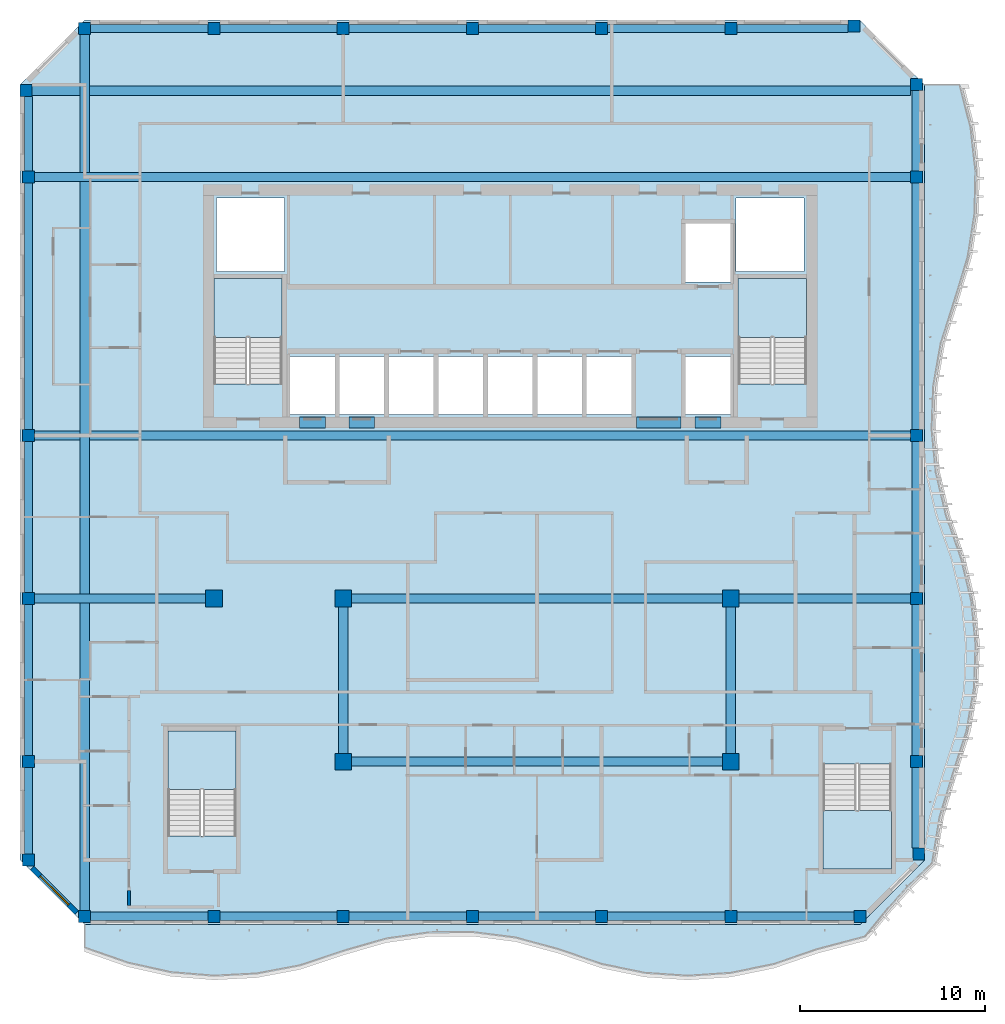
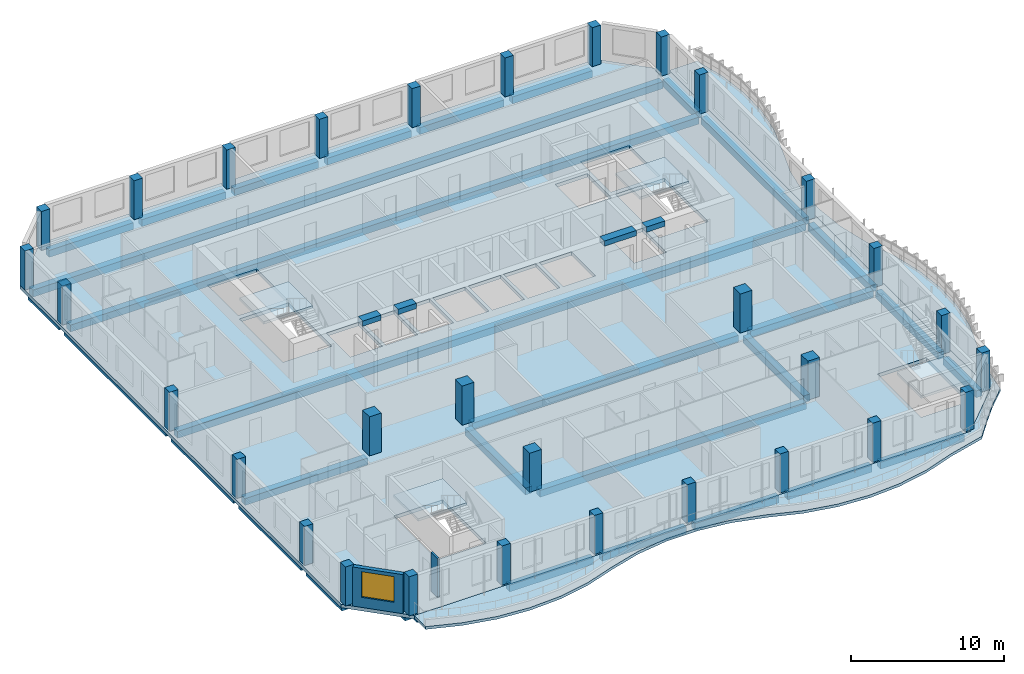
# One storey, part 1 of 18: 36 beams, 31 columns, 6 slabs, 2 walls, 1 window, 1 opening, 4 elements without a shape of their own.
"""IFC4 building model written with IfcOpenShell, lengths in metres."""

from ifc_helpers import new_model, si_unit, direction, frame, frame_2d, origin, origin_2d, place, context, subcontext, project, spatial, polyline, rectangle, outline, extrude, source, transform, mapped, material, layer, layer_set, material_profile, profile_set, type_object, element, fill, aggregate, save


model = new_model("IFC4")

# Units and contexts
model_context = context("Model", 3, precision=1e-05, world=origin(), true_north=direction((0.0, 1.0)))
body_context = subcontext(model_context, "Body", "Model", "MODEL_VIEW")
ifc_project = project(units=[si_unit("LENGTHUNIT", "METRE"), si_unit("AREAUNIT", "SQUARE_METRE"), si_unit("VOLUMEUNIT", "CUBIC_METRE"), si_unit("PLANEANGLEUNIT", "RADIAN"), si_unit("MASSUNIT", "GRAM", prefix="KILO")], contexts=[model_context])

# Site, building, storey
site_placement = place(None, origin())
site = spatial("IfcSite", under=ifc_project, at=site_placement, CompositionType="ELEMENT")
building_placement = place(site_placement, origin())
building = spatial("IfcBuilding", under=site, at=building_placement, Name="Kilnfold Tower and Market Hall", CompositionType="ELEMENT")
storey_placement = place(building_placement, frame((0.0, 0.0, 270.39990234375)))
storey = spatial("IfcBuildingStorey", under=building, at=storey_placement, Name="L66", CompositionType="ELEMENT", Elevation=270.39990234375)

# Columns
ifc_material_1 = material(Name="Concrete C60", Category="concrete")
ifc_material_profile_1 = material_profile(ifc_material_1, rectangle(XDim=0.64990234375, YDim=0.64990234375, at=origin_2d()), Name="RC 650x650")
ifc_profile_set_1 = profile_set([ifc_material_profile_1], Name="Concrete C60")
column_type_1 = type_object("IfcColumnType", Name="COLUMN 650X650 C60", PredefinedType="COLUMN", material=ifc_profile_set_1)
shared_shape_1 = source(origin(), body_context, "Body", "SweptSolid", [
    extrude(rectangle(XDim=0.64990234375, YDim=0.64990234375, at=origin_2d()), origin(), (0.0, 0.0, 1.0), 3.1201171875),
])
for number, where, z_axis, x_axis, name in (
    (1, (-25.181884765625, 26.681884765625, 0.0), (0.0, 0.0, 1.0), (1.0, 0.0, 0.0), "Column C-B8-1G"),
    (2, (-25.050048828125, -15.0, 0.0), (0.0, 0.0, 1.0), (1.0, 0.0, 0.0), "Column C-B8-1B"),
    (3, (-25.050048828125, -9.666748046875, 0.0), (0.0, 0.0, 1.0), (1.0, 0.0, 0.0), "Column C-B8-1C"),
    (4, (-25.050048828125, -0.833251953125, 0.0), (0.0, 0.0, 1.0), (1.0, 0.0, 0.0), "Column C-B8-1D"),
    (5, (-25.050048828125, 8.0, 0.0), (0.0, 0.0, 1.0), (1.0, 0.0, 0.0), "Column C-B8-1E"),
    (6, (-25.050048828125, 22.0, 0.0), (0.0, 0.0, 1.0), (1.0, 0.0, 0.0), "Column C-B8-1F"),
    (7, (-22.0, -18.050048828125, 0.0), (0.0, 0.0, 1.0), (1.0, 0.0, 0.0), "Column C-B8-2A"),
    (8, (-22.0, 30.050048828125, 0.0), (0.0, 0.0, 1.0), (1.0, 0.0, 0.0), "Column C-B8-2H"),
    (9, (-15.0, -18.050048828125, 0.0), (0.0, 0.0, 1.0), (1.0, 0.0, 0.0), "Column C-B8-3A"),
    (10, (-15.0, 30.050048828125, 0.0), (0.0, 0.0, 1.0), (1.0, 0.0, 0.0), "Column C-B8-3H"),
    (11, (-8.0, -18.050048828125, 0.0), (0.0, 0.0, 1.0), (1.0, 0.0, 0.0), "Column C-B8-4A"),
    (12, (-8.0, 30.050048828125, 0.0), (0.0, 0.0, 1.0), (1.0, 0.0, 0.0), "Column C-B8-4H"),
    (13, (-1.0, -18.050048828125, 0.0), (0.0, 0.0, 1.0), (1.0, 0.0, 0.0), "Column C-B8-5A"),
    (14, (-1.0, 30.050048828125, 0.0), (0.0, 0.0, 1.0), (1.0, 0.0, 0.0), "Column C-B8-5H"),
    (15, (6.0, -18.050048828125, 0.0), (0.0, 0.0, 1.0), (1.0, 0.0, 0.0), "Column C-B8-6A"),
    (16, (6.0, 30.050048828125, 0.0), (0.0, 0.0, 1.0), (1.0, 0.0, 0.0), "Column C-B8-6H"),
    (17, (13.0, -18.050048828125, 0.0), (0.0, 0.0, 1.0), (1.0, 0.0, 0.0), "Column C-B8-7A"),
    (18, (13.0, 30.050048828125, 0.0), (0.0, 0.0, 1.0), (1.0, 0.0, 0.0), "Column C-B8-7H"),
    (19, (19.681884765625, 30.181884765625, 0.0), (0.0, 0.0, 1.0), (1.0, 0.0, 0.0), "Column C-B8-8H"),
    (20, (20.0, -18.050048828125, 0.0), (0.0, 0.0, 1.0), (1.0, 0.0, 0.0), "Column C-B8-8A"),
    (21, (23.050048828125, -9.666748046875, 0.0), (0.0, 0.0, 1.0), (1.0, 0.0, 0.0), "Column C-B8-9C"),
    (22, (23.050048828125, -0.833251953125, 0.0), (0.0, 0.0, 1.0), (1.0, 0.0, 0.0), "Column C-B8-9D"),
    (23, (23.050048828125, 8.0, 0.0), (0.0, 0.0, 1.0), (1.0, 0.0, 0.0), "Column C-B8-9E"),
    (24, (23.050048828125, 22.0, 0.0), (0.0, 0.0, 1.0), (1.0, 0.0, 0.0), "Column C-B8-9F"),
    (25, (23.050048828125, 27.0, 0.0), (0.0, 0.0, 1.0), (1.0, 0.0, 0.0), "Column C-B8-9G"),
    (26, (23.181884765625, -14.681884765625, 0.0), (0.0, 0.0, 1.0), (1.0, 0.0, 0.0), "Column C-B8-9B"),
):
    element("IfcColumn", number, at=place(storey_placement, frame(where, z_axis=z_axis, x_axis=x_axis)), inside=storey, type_object=column_type_1, Name=name, PredefinedType="COLUMN", context=body_context, shape_type="MappedRepresentation", body=[
        mapped(shared_shape_1, transform((0.0, 0.0, 0.0))),
    ])
ifc_material_2 = material(Name="Concrete C60", Category="concrete")
ifc_material_profile_2 = material_profile(ifc_material_2, rectangle(XDim=0.89990234375, YDim=0.89990234375, at=origin_2d()), Name="RC 900x900")
ifc_profile_set_2 = profile_set([ifc_material_profile_2], Name="Concrete C60")
column_type_2 = type_object("IfcColumnType", Name="COLUMN 900X900 C60", PredefinedType="COLUMN", material=ifc_profile_set_2)
shared_shape_2 = source(origin(), body_context, "Body", "SweptSolid", [
    extrude(rectangle(XDim=0.89990234375, YDim=0.89990234375, at=origin_2d()), origin(), (0.0, 0.0, 1.0), 3.1201171875),
])
for number, where, z_axis, x_axis, name in (
    (27, (-15.0, -0.833251953125, 0.0), (0.0, 0.0, 1.0), (1.0, 0.0, 0.0), "Column C-B8-3D"),
    (28, (-8.0, -9.666748046875, 0.0), (0.0, 0.0, 1.0), (1.0, 0.0, 0.0), "Column C-B8-4C"),
    (29, (-8.0, -0.833251953125, 0.0), (0.0, 0.0, 1.0), (1.0, 0.0, 0.0), "Column C-B8-4D"),
    (30, (13.0, -9.666748046875, 0.0), (0.0, 0.0, 1.0), (1.0, 0.0, 0.0), "Column C-B8-7C"),
    (31, (13.0, -0.833251953125, 0.0), (0.0, 0.0, 1.0), (1.0, 0.0, 0.0), "Column C-B8-7D"),
):
    element("IfcColumn", number, at=place(storey_placement, frame(where, z_axis=z_axis, x_axis=x_axis)), inside=storey, type_object=column_type_2, Name=name, PredefinedType="COLUMN", context=body_context, shape_type="MappedRepresentation", body=[
        mapped(shared_shape_2, transform((0.0, 0.0, 0.0))),
    ])

# Beams
ifc_material_3 = material(Name="Concrete C50", Category="concrete")
ifc_material_profile_3 = material_profile(ifc_material_3, rectangle(XDim=0.60009765625, YDim=0.419921875, at=origin_2d()), Name="RC 600x420")
ifc_profile_set_3 = profile_set([ifc_material_profile_3], Name="Concrete C50")
beam_type_1 = type_object("IfcBeamType", Name="COUPLING BEAM 600X420 C50", PredefinedType="BEAM", material=ifc_profile_set_3)
shared_shape_3 = source(origin(), body_context, "Body", "SweptSolid", [
    extrude(rectangle(XDim=0.60009765625, YDim=0.419921875, at=origin_2d()), origin(), (0.0, 0.0, 1.0), 1.400146484375),
])
beam_1_placement = place(storey_placement, frame((-10.3701171875, 8.699951171875, 2.91015625), z_axis=(1.0, 0.0, 0.0), x_axis=(0.0, 1.0, 0.0)))
element("IfcBeam", 32, at=beam_1_placement, inside=storey, type_object=beam_type_1, Name="Coupling beam CB420-50-CORE.30", PredefinedType="BEAM", context=body_context, shape_type="MappedRepresentation", body=[
    mapped(shared_shape_3, transform((0.0, 0.0, 0.0))),
])
shared_shape_4 = source(origin(), body_context, "Body", "SweptSolid", [
    extrude(rectangle(XDim=0.60009765625, YDim=0.419921875, at=origin_2d()), origin(), (0.0, 0.0, 1.0), 1.39990234375),
])
for number, where, z_axis, x_axis, name in (
    (33, (-7.68994140625, 8.699951171875, 2.91015625), (1.0, 0.0, 0.0), (0.0, 1.0, 0.0), "Coupling beam CB420-50-CORE.31"),
    (34, (11.070068359375, 8.699951171875, 2.91015625), (1.0, 0.0, 0.0), (0.0, 1.0, 0.0), "Coupling beam CB420-50-CORE.33"),
):
    element("IfcBeam", number, at=place(storey_placement, frame(where, z_axis=z_axis, x_axis=x_axis)), inside=storey, type_object=beam_type_1, Name=name, PredefinedType="BEAM", context=body_context, shape_type="MappedRepresentation", body=[
        mapped(shared_shape_4, transform((0.0, 0.0, 0.0))),
    ])
shared_shape_5 = source(origin(), body_context, "Body", "SweptSolid", [
    extrude(rectangle(XDim=0.60009765625, YDim=0.419921875, at=origin_2d()), origin(), (0.0, 0.0, 1.0), 2.400146484375),
])
beam_2_placement = place(storey_placement, frame((7.889892578125, 8.699951171875, 2.91015625), z_axis=(1.0, 0.0, 0.0), x_axis=(0.0, 1.0, 0.0)))
element("IfcBeam", 35, at=beam_2_placement, inside=storey, type_object=beam_type_1, Name="Coupling beam CB420-50-CORE.32", PredefinedType="BEAM", context=body_context, shape_type="MappedRepresentation", body=[
    mapped(shared_shape_5, transform((0.0, 0.0, 0.0))),
])
ifc_material_4 = material(Name="Concrete C45", Category="concrete")
ifc_material_profile_4 = material_profile(ifc_material_4, rectangle(XDim=0.449951171875, YDim=0.550048828125, at=origin_2d()), Name="RC 450x550")
ifc_profile_set_4 = profile_set([ifc_material_profile_4], Name="Concrete C45")
beam_type_2 = type_object("IfcBeamType", Name="EDGE BEAM 450X550 C45", PredefinedType="BEAM", material=ifc_profile_set_4)
shared_shape_6 = source(origin(), body_context, "Body", "SweptSolid", [
    extrude(rectangle(XDim=0.449951171875, YDim=0.550048828125, at=origin_2d()), origin(), (0.0, 0.0, 1.0), 6.35009765625),
])
for number, where, z_axis, x_axis, name in (
    (36, (-21.675048828125, -18.050048828125, -0.554931640625), (1.0, 0.0, 0.0), (0.0, 1.0, 0.0), "Beam EB550-B8.31"),
    (37, (-14.675048828125, -18.050048828125, -0.554931640625), (1.0, 0.0, 0.0), (0.0, 1.0, 0.0), "Beam EB550-B8.32"),
    (38, (-7.675048828125, -18.050048828125, -0.554931640625), (1.0, 0.0, 0.0), (0.0, 1.0, 0.0), "Beam EB550-B8.33"),
    (39, (-0.675048828125, -18.050048828125, -0.554931640625), (1.0, 0.0, 0.0), (0.0, 1.0, 0.0), "Beam EB550-B8.34"),
    (40, (6.324951171875, -18.050048828125, -0.554931640625), (1.0, 0.0, 0.0), (0.0, 1.0, 0.0), "Beam EB550-B8.35"),
    (41, (13.324951171875, -18.050048828125, -0.554931640625), (1.0, 0.0, 0.0), (0.0, 1.0, 0.0), "Beam EB550-B8.36"),
    (42, (-21.675048828125, 30.050048828125, -0.554931640625), (1.0, 0.0, 0.0), (0.0, 1.0, 0.0), "Beam EB550-B8.44"),
    (43, (-14.675048828125, 30.050048828125, -0.554931640625), (1.0, 0.0, 0.0), (0.0, 1.0, 0.0), "Beam EB550-B8.45"),
    (44, (-7.675048828125, 30.050048828125, -0.554931640625), (1.0, 0.0, 0.0), (0.0, 1.0, 0.0), "Beam EB550-B8.46"),
    (45, (-0.675048828125, 30.050048828125, -0.554931640625), (1.0, 0.0, 0.0), (0.0, 1.0, 0.0), "Beam EB550-B8.47"),
    (46, (6.324951171875, 30.050048828125, -0.554931640625), (1.0, 0.0, 0.0), (0.0, 1.0, 0.0), "Beam EB550-B8.48"),
):
    element("IfcBeam", number, at=place(storey_placement, frame(where, z_axis=z_axis, x_axis=x_axis)), inside=storey, type_object=beam_type_2, Name=name, PredefinedType="BEAM", context=body_context, shape_type="MappedRepresentation", body=[
        mapped(shared_shape_6, transform((0.0, 0.0, 0.0))),
    ])
ifc_material_5 = material(Name="Concrete C45", Category="concrete")
ifc_material_profile_5 = material_profile(ifc_material_5, rectangle(XDim=0.5, YDim=0.550048828125, at=origin_2d()), Name="RC 500x550")
ifc_profile_set_5 = profile_set([ifc_material_profile_5], Name="Concrete C45")
beam_type_3 = type_object("IfcBeamType", Name="BEAM 500X550 C45", PredefinedType="BEAM", material=ifc_profile_set_5)
shared_shape_7 = source(origin(), body_context, "Body", "SweptSolid", [
    extrude(rectangle(XDim=0.5, YDim=0.550048828125, at=origin_2d()), origin(), (0.0, 0.0, 1.0), 20.10009765625),
])
for number, where, z_axis, x_axis, name in (
    (47, (-7.550048828125, -9.669921875, -0.554931640625), (1.0, 0.0, 0.0), (0.0, 1.0, 0.0), "Beam BB550-B8.37"),
    (48, (-7.550048828125, -0.830078125, -0.554931640625), (1.0, 0.0, 0.0), (0.0, 1.0, 0.0), "Beam BB550-B8.39"),
):
    element("IfcBeam", number, at=place(storey_placement, frame(where, z_axis=z_axis, x_axis=x_axis)), inside=storey, type_object=beam_type_3, Name=name, PredefinedType="BEAM", context=body_context, shape_type="MappedRepresentation", body=[
        mapped(shared_shape_7, transform((0.0, 0.0, 0.0))),
    ])
shared_shape_8 = source(origin(), body_context, "Body", "SweptSolid", [
    extrude(rectangle(XDim=0.5, YDim=0.550048828125, at=origin_2d()), origin(), (0.0, 0.0, 1.0), 9.275146484375),
])
for number, where, z_axis, x_axis, name in (
    (49, (-24.72509765625, -0.830078125, -0.554931640625), (1.0, 0.0, 0.0), (0.0, 1.0, 0.0), "Beam BB550-B8.38"),
    (50, (13.449951171875, -0.830078125, -0.554931640625), (1.0, 0.0, 0.0), (0.0, 1.0, 0.0), "Beam BB550-B8.40"),
):
    element("IfcBeam", number, at=place(storey_placement, frame(where, z_axis=z_axis, x_axis=x_axis)), inside=storey, type_object=beam_type_3, Name=name, PredefinedType="BEAM", context=body_context, shape_type="MappedRepresentation", body=[
        mapped(shared_shape_8, transform((0.0, 0.0, 0.0))),
    ])
shared_shape_9 = source(origin(), body_context, "Body", "SweptSolid", [
    extrude(rectangle(XDim=0.5, YDim=0.550048828125, at=origin_2d()), origin(), (0.0, 0.0, 1.0), 47.4501953125),
])
for number, where, z_axis, x_axis, name in (
    (51, (-24.72509765625, 8.0, -0.554931640625), (1.0, 0.0, 0.0), (0.0, 1.0, 0.0), "Beam BB550-B8.41"),
    (52, (-24.72509765625, 22.0, -0.554931640625), (1.0, 0.0, 0.0), (0.0, 1.0, 0.0), "Beam BB550-B8.42"),
    (53, (-22.0, -17.72509765625, -0.554931640625), (0.0, 1.0, 0.0), (-1.0, 0.0, 0.0), "Beam BB550-B8.55"),
):
    element("IfcBeam", number, at=place(storey_placement, frame(where, z_axis=z_axis, x_axis=x_axis)), inside=storey, type_object=beam_type_3, Name=name, PredefinedType="BEAM", context=body_context, shape_type="MappedRepresentation", body=[
        mapped(shared_shape_9, transform((0.0, 0.0, 0.0))),
    ])
shared_shape_10 = source(origin(), body_context, "Body", "SweptSolid", [
    extrude(rectangle(XDim=0.5, YDim=0.550048828125, at=origin_2d()), origin(), (0.0, 0.0, 1.0), 47.581787109375),
])
beam_3_placement = place(storey_placement, frame((-24.856689453125, 26.679931640625, -0.554931640625), z_axis=(1.0, 0.0, 0.0), x_axis=(0.0, 1.0, 0.0)))
element("IfcBeam", 54, at=beam_3_placement, inside=storey, type_object=beam_type_3, Name="Beam BB550-B8.43", PredefinedType="BEAM", context=body_context, shape_type="MappedRepresentation", body=[
    mapped(shared_shape_10, transform((0.0, 0.0, 0.0))),
])
shared_shape_11 = source(origin(), body_context, "Body", "SweptSolid", [
    extrude(rectangle(XDim=0.449951171875, YDim=0.550048828125, at=origin_2d()), origin(), (0.0, 0.0, 1.0), 6.03173828125),
])
beam_4_placement = place(storey_placement, frame((13.324951171875, 30.050048828125, -0.554931640625), z_axis=(1.0, 0.0, 0.0), x_axis=(0.0, 1.0, 0.0)))
element("IfcBeam", 55, at=beam_4_placement, inside=storey, type_object=beam_type_2, Name="Beam EB550-B8.49", PredefinedType="BEAM", context=body_context, shape_type="MappedRepresentation", body=[
    mapped(shared_shape_11, transform((0.0, 0.0, 0.0))),
])
shared_shape_12 = source(origin(), body_context, "Body", "SweptSolid", [
    extrude(rectangle(XDim=0.449951171875, YDim=0.550048828125, at=origin_2d()), origin(), (0.0, 0.0, 1.0), 4.683349609375),
])
beam_5_placement = place(storey_placement, frame((-25.050048828125, -14.675048828125, -0.554931640625), z_axis=(0.0, 1.0, 0.0), x_axis=(-1.0, 0.0, 0.0)))
element("IfcBeam", 56, at=beam_5_placement, inside=storey, type_object=beam_type_2, Name="Beam EB550-B8.50", PredefinedType="BEAM", context=body_context, shape_type="MappedRepresentation", body=[
    mapped(shared_shape_12, transform((0.0, 0.0, 0.0))),
])
shared_shape_13 = source(origin(), body_context, "Body", "SweptSolid", [
    extrude(rectangle(XDim=0.449951171875, YDim=0.550048828125, at=origin_2d()), origin(), (0.0, 0.0, 1.0), 8.18359375),
])
for number, where, z_axis, x_axis, name in (
    (57, (-25.050048828125, -9.341796875, -0.554931640625), (0.0, 1.0, 0.0), (-1.0, 0.0, 0.0), "Beam EB550-B8.51"),
    (58, (23.050048828125, -9.341796875, -0.554931640625), (0.0, 1.0, 0.0), (-1.0, 0.0, 0.0), "Beam EB550-B8.57"),
):
    element("IfcBeam", number, at=place(storey_placement, frame(where, z_axis=z_axis, x_axis=x_axis)), inside=storey, type_object=beam_type_2, Name=name, PredefinedType="BEAM", context=body_context, shape_type="MappedRepresentation", body=[
        mapped(shared_shape_13, transform((0.0, 0.0, 0.0))),
    ])
shared_shape_14 = source(origin(), body_context, "Body", "SweptSolid", [
    extrude(rectangle(XDim=0.449951171875, YDim=0.550048828125, at=origin_2d()), origin(), (0.0, 0.0, 1.0), 8.183349609375),
])
for number, where, z_axis, x_axis, name in (
    (59, (-25.050048828125, -0.50830078125, -0.554931640625), (0.0, 1.0, 0.0), (-1.0, 0.0, 0.0), "Beam EB550-B8.52"),
    (60, (23.050048828125, -0.50830078125, -0.554931640625), (0.0, 1.0, 0.0), (-1.0, 0.0, 0.0), "Beam EB550-B8.58"),
):
    element("IfcBeam", number, at=place(storey_placement, frame(where, z_axis=z_axis, x_axis=x_axis)), inside=storey, type_object=beam_type_2, Name=name, PredefinedType="BEAM", context=body_context, shape_type="MappedRepresentation", body=[
        mapped(shared_shape_14, transform((0.0, 0.0, 0.0))),
    ])
shared_shape_15 = source(origin(), body_context, "Body", "SweptSolid", [
    extrude(rectangle(XDim=0.449951171875, YDim=0.550048828125, at=origin_2d()), origin(), (0.0, 0.0, 1.0), 13.35009765625),
])
for number, where, z_axis, x_axis, name in (
    (61, (-25.050048828125, 8.324951171875, -0.554931640625), (0.0, 1.0, 0.0), (-1.0, 0.0, 0.0), "Beam EB550-B8.53"),
    (62, (23.050048828125, 8.324951171875, -0.554931640625), (0.0, 1.0, 0.0), (-1.0, 0.0, 0.0), "Beam EB550-B8.59"),
):
    element("IfcBeam", number, at=place(storey_placement, frame(where, z_axis=z_axis, x_axis=x_axis)), inside=storey, type_object=beam_type_2, Name=name, PredefinedType="BEAM", context=body_context, shape_type="MappedRepresentation", body=[
        mapped(shared_shape_15, transform((0.0, 0.0, 0.0))),
    ])
shared_shape_16 = source(origin(), body_context, "Body", "SweptSolid", [
    extrude(rectangle(XDim=0.449951171875, YDim=0.550048828125, at=origin_2d()), origin(), (0.0, 0.0, 1.0), 4.03173828125),
])
beam_6_placement = place(storey_placement, frame((-25.050048828125, 22.324951171875, -0.554931640625), z_axis=(0.0, 1.0, 0.0), x_axis=(-1.0, 0.0, 0.0)))
element("IfcBeam", 63, at=beam_6_placement, inside=storey, type_object=beam_type_2, Name="Beam EB550-B8.54", PredefinedType="BEAM", context=body_context, shape_type="MappedRepresentation", body=[
    mapped(shared_shape_16, transform((0.0, 0.0, 0.0))),
])
shared_shape_17 = source(origin(), body_context, "Body", "SweptSolid", [
    extrude(rectangle(XDim=0.5, YDim=0.550048828125, at=origin_2d()), origin(), (0.0, 0.0, 1.0), 7.93359375),
])
for number, where, z_axis, x_axis, name in (
    (64, (-8.0, -9.216796875, -0.554931640625), (0.0, 1.0, 0.0), (-1.0, 0.0, 0.0), "Beam BB550-B8.24"),
    (65, (13.0, -9.216796875, -0.554931640625), (0.0, 1.0, 0.0), (-1.0, 0.0, 0.0), "Beam BB550-B8.25"),
):
    element("IfcBeam", number, at=place(storey_placement, frame(where, z_axis=z_axis, x_axis=x_axis)), inside=storey, type_object=beam_type_3, Name=name, PredefinedType="BEAM", context=body_context, shape_type="MappedRepresentation", body=[
        mapped(shared_shape_17, transform((0.0, 0.0, 0.0))),
    ])
shared_shape_18 = source(origin(), body_context, "Body", "SweptSolid", [
    extrude(rectangle(XDim=0.449951171875, YDim=0.550048828125, at=origin_2d()), origin(), (0.0, 0.0, 1.0), 4.364990234375),
])
beam_7_placement = place(storey_placement, frame((23.050048828125, -14.356689453125, -0.554931640625), z_axis=(0.0, 1.0, 0.0), x_axis=(-1.0, 0.0, 0.0)))
element("IfcBeam", 66, at=beam_7_placement, inside=storey, type_object=beam_type_2, Name="Beam EB550-B8.56", PredefinedType="BEAM", context=body_context, shape_type="MappedRepresentation", body=[
    mapped(shared_shape_18, transform((0.0, 0.0, 0.0))),
])
shared_shape_19 = source(origin(), body_context, "Body", "SweptSolid", [
    extrude(rectangle(XDim=0.449951171875, YDim=0.550048828125, at=origin_2d()), origin(), (0.0, 0.0, 1.0), 4.35009765625),
])
beam_8_placement = place(storey_placement, frame((23.050048828125, 22.324951171875, -0.554931640625), z_axis=(0.0, 1.0, 0.0), x_axis=(-1.0, 0.0, 0.0)))
element("IfcBeam", 67, at=beam_8_placement, inside=storey, type_object=beam_type_2, Name="Beam EB550-B8.60", PredefinedType="BEAM", context=body_context, shape_type="MappedRepresentation", body=[
    mapped(shared_shape_19, transform((0.0, 0.0, 0.0))),
])

# Slabs
ifc_material_6 = material(Name="Concrete C45", Category="concrete")
ifc_layer_1 = layer(ifc_material_6, 0.280029296875)
ifc_layer_set_1 = layer_set([ifc_layer_1], Name="Concrete C45")
slab_type_1 = type_object("IfcSlabType", Name="FLOOR SLAB 280", PredefinedType="FLOOR", material=ifc_layer_set_1)
shared_shape_20 = source(origin(), body_context, "Body", "SweptSolid", [
    extrude(outline(polyline([(-22.0, -18.5), (20.0, -18.5), (23.5, -15.0), (23.5, 27.0), (20.0, 30.5), (-22.0, 30.5), (-25.5, 27.0), (-25.5, -15.0), (-22.0, -18.5)]), holes=[polyline([(-13.800537109375, -8.00048828125), (-13.800537109375, -13.699462890625), (-17.49951171875, -13.699462890625), (-17.49951171875, -8.00048828125), (-13.800537109375, -8.00048828125)]), polyline([(-11.300537109375, 10.800537109375), (-14.99951171875, 10.800537109375), (-14.99951171875, 16.49951171875), (-11.300537109375, 16.49951171875), (-11.300537109375, 10.800537109375)]), polyline([(-11.175048828125, 16.875), (-14.875, 16.875), (-14.875, 20.875), (-11.175048828125, 20.875), (-11.175048828125, 16.875)]), polyline([(-8.455078125, 9.125), (-10.885009765625, 9.125), (-10.885009765625, 12.27490234375), (-8.455078125, 12.27490234375), (-8.455078125, 9.125)]), polyline([(-5.77490234375, 9.125), (-8.205078125, 9.125), (-8.205078125, 12.27490234375), (-5.77490234375, 12.27490234375), (-5.77490234375, 9.125)]), polyline([(-3.094970703125, 9.125), (-5.52490234375, 9.125), (-5.52490234375, 12.27490234375), (-3.094970703125, 12.27490234375), (-3.094970703125, 9.125)]), polyline([(-0.4150390625, 9.125), (-2.844970703125, 9.125), (-2.844970703125, 12.27490234375), (-0.4150390625, 12.27490234375), (-0.4150390625, 9.125)]), polyline([(2.264892578125, 9.125), (-0.1650390625, 9.125), (-0.1650390625, 12.27490234375), (2.264892578125, 12.27490234375), (2.264892578125, 9.125)]), polyline([(4.945068359375, 9.125), (2.514892578125, 9.125), (2.514892578125, 12.27490234375), (4.945068359375, 12.27490234375), (4.945068359375, 9.125)]), polyline([(7.625, 9.125), (5.195068359375, 9.125), (5.195068359375, 12.27490234375), (7.625, 12.27490234375), (7.625, 9.125)]), polyline([(12.985107421875, 9.125), (10.554931640625, 9.125), (10.554931640625, 12.27490234375), (12.985107421875, 12.27490234375), (12.985107421875, 9.125)]), polyline([(12.985107421875, 16.324951171875), (10.554931640625, 16.324951171875), (10.554931640625, 19.47509765625), (12.985107421875, 19.47509765625), (12.985107421875, 16.324951171875)]), polyline([(16.97509765625, 16.875), (13.27490234375, 16.875), (13.27490234375, 20.875), (16.97509765625, 20.875), (16.97509765625, 16.875)]), polyline([(17.099609375, 10.800537109375), (13.400390625, 10.800537109375), (13.400390625, 16.49951171875), (17.099609375, 16.49951171875), (17.099609375, 10.800537109375)]), polyline([(18.00048828125, -9.800537109375), (21.699462890625, -9.800537109375), (21.699462890625, -15.49951171875), (18.00048828125, -15.49951171875), (18.00048828125, -9.800537109375)])]), origin(), (0.0, 0.0, 1.0), 0.280029296875),
])
slab_1_placement = place(storey_placement, frame((0.0, 0.0, -0.280029296875)))
element("IfcSlab", 68, at=slab_1_placement, inside=storey, type_object=slab_type_1, Name="Floor slab L66", PredefinedType="FLOOR", context=body_context, shape_type="MappedRepresentation", body=[
    mapped(shared_shape_20, transform((0.0, 0.0, 0.0))),
])
ifc_material_7 = material(Name="Concrete C40/50", Category="concrete")
ifc_layer_2 = layer(ifc_material_7, 0.219970703125)
ifc_layer_set_2 = layer_set([ifc_layer_2], Name="Concrete C40/50")
slab_type_2 = type_object("IfcSlabType", Name="BALCONY SLAB 220", PredefinedType="FLOOR", material=ifc_layer_set_2)
shared_shape_21 = source(origin(), body_context, "Body", "SweptSolid", [
    extrude(outline(polyline([(-22.0, -18.5), (20.0, -18.5), (23.5, -15.0), (23.5, 27.0), (25.626953125, 27.0), (26.2197265625, 24.666748046875), (26.482666015625, 22.333251953125), (26.430419921875, 20.0), (26.060791015625, 17.666748046875), (25.351318359375, 15.333251953125), (24.602294921875, 13.0), (24.1953125, 10.666748046875), (24.107666015625, 8.333251953125), (24.334228515625, 6.0), (24.88818359375, 3.666748046875), (25.707763671875, 1.333251953125), (26.263671875, -1.0), (26.491943359375, -3.333251953125), (26.406005859375, -5.666748046875), (26.0009765625, -8.0), (25.253662109375, -10.333251953125), (24.542236328125, -12.666748046875), (24.11962890625, -15.256591796875), (22.7578125, -16.591064453125), (21.652099609375, -17.818603515625), (20.3564453125, -19.360595703125), (17.666748046875, -20.064453125), (15.333251953125, -20.86572265625), (13.0, -21.34423828125), (10.666748046875, -21.5), (8.333251953125, -21.341796875), (6.0, -20.86083984375), (3.666748046875, -20.058349609375), (1.333251953125, -19.427978515625), (-1.0, -19.130615234375), (-3.333251953125, -19.148681640625), (-5.666748046875, -19.4833984375), (-8.0, -20.154296875), (-10.333251953125, -20.93359375), (-12.666748046875, -21.376220703125), (-15.0, -21.498046875), (-17.333251953125, -21.3056640625), (-19.666748046875, -20.788330078125), (-22.0, -19.97314453125), (-22.0, -18.5)])), origin(), (0.0, 0.0, 1.0), 0.219970703125),
])
slab_2_placement = place(storey_placement, frame((0.0, 0.0, -0.219970703125)))
element("IfcSlab", 69, at=slab_2_placement, inside=storey, type_object=slab_type_2, Name="Balcony slab L66", PredefinedType="FLOOR", context=body_context, shape_type="MappedRepresentation", body=[
    mapped(shared_shape_21, transform((0.0, 0.0, 0.0))),
])

# Stair, slab
ifc_material_8 = material(Name="Concrete C40/50", Category="concrete")
stair_type = type_object("IfcStairType", Name="CORE STAIR 1800", PredefinedType="HALF_TURN_STAIR", material=ifc_material_8)
stair_1_placement = place(storey_placement, origin())
stair_1 = element("IfcStair", 70, at=stair_1_placement, inside=storey, type_object=stair_type, Name="L66 ST1", PredefinedType="HALF_TURN_STAIR")
ifc_material_9 = material(Name="Concrete C40/50", Category="concrete")
ifc_layer_3 = layer(ifc_material_9, 0.199951171875)
ifc_layer_set_3 = layer_set([ifc_layer_3], Name="Concrete C40/50")
slab_type_3 = type_object("IfcSlabType", Name="CORE STAIR LANDING 200", PredefinedType="LANDING", material=ifc_layer_set_3)
shared_shape_22 = source(origin(), body_context, "Body", "SweptSolid", [
    extrude(outline(polyline([(-11.300048828125, 13.320068359375), (-11.300048828125, 16.5), (-15.0, 16.5), (-15.0, 13.320068359375), (-11.300048828125, 13.320068359375)])), origin(), (0.0, 0.0, 1.0), 0.2001953125),
])
slab_3_placement = place(storey_placement, frame((0.0, 0.0, 1.5)))
slab_3 = element("IfcSlab", 71, at=slab_3_placement, type_object=slab_type_3, Name="ST1 landing 1", PredefinedType="LANDING", context=body_context, shape_type="MappedRepresentation", body=[
    mapped(shared_shape_22, transform((0.0, 0.0, 0.0))),
])
aggregate(stair_1, [slab_3])

stair_2_placement = place(storey_placement, origin())
stair_2 = element("IfcStair", 72, at=stair_2_placement, inside=storey, type_object=stair_type, Name="L66 ST2", PredefinedType="HALF_TURN_STAIR")
shared_shape_23 = source(origin(), body_context, "Body", "SweptSolid", [
    extrude(outline(polyline([(17.10009765625, 13.320068359375), (17.10009765625, 16.5), (13.39990234375, 16.5), (13.39990234375, 13.320068359375), (17.10009765625, 13.320068359375)])), origin(), (0.0, 0.0, 1.0), 0.2001953125),
])
slab_4_placement = place(storey_placement, frame((0.0, 0.0, 1.5)))
slab_4 = element("IfcSlab", 73, at=slab_4_placement, type_object=slab_type_3, Name="ST2 landing 1", PredefinedType="LANDING", context=body_context, shape_type="MappedRepresentation", body=[
    mapped(shared_shape_23, transform((0.0, 0.0, 0.0))),
])
aggregate(stair_2, [slab_4])

stair_3_placement = place(storey_placement, origin())
stair_3 = element("IfcStair", 74, at=stair_3_placement, inside=storey, type_object=stair_type, Name="L66 ST3", PredefinedType="HALF_TURN_STAIR")
shared_shape_24 = source(origin(), body_context, "Body", "SweptSolid", [
    extrude(outline(polyline([(-13.800048828125, -11.179931640625), (-13.800048828125, -8.0), (-17.5, -8.0), (-17.5, -11.179931640625), (-13.800048828125, -11.179931640625)])), origin(), (0.0, 0.0, 1.0), 0.2001953125),
])
slab_5_placement = place(storey_placement, frame((0.0, 0.0, 1.5)))
slab_5 = element("IfcSlab", 75, at=slab_5_placement, type_object=slab_type_3, Name="ST3 landing 1", PredefinedType="LANDING", context=body_context, shape_type="MappedRepresentation", body=[
    mapped(shared_shape_24, transform((0.0, 0.0, 0.0))),
])
aggregate(stair_3, [slab_5])

stair_4_placement = place(storey_placement, origin())
stair_4 = element("IfcStair", 76, at=stair_4_placement, inside=storey, type_object=stair_type, Name="L66 ST4", PredefinedType="HALF_TURN_STAIR")
shared_shape_25 = source(origin(), body_context, "Body", "SweptSolid", [
    extrude(outline(polyline([(18.0, -12.320068359375), (18.0, -15.5), (21.699951171875, -15.5), (21.699951171875, -12.320068359375), (18.0, -12.320068359375)])), origin(), (0.0, 0.0, 1.0), 0.2001953125),
])
slab_6_placement = place(storey_placement, frame((0.0, 0.0, 1.5)))
slab_6 = element("IfcSlab", 77, at=slab_6_placement, type_object=slab_type_3, Name="ST4 landing 1", PredefinedType="LANDING", context=body_context, shape_type="MappedRepresentation", body=[
    mapped(shared_shape_25, transform((0.0, 0.0, 0.0))),
])
aggregate(stair_4, [slab_6])

# Wall
ifc_material_10 = material(Name="Gypsum board on steel studs", Category="steel")
ifc_layer_4 = layer(ifc_material_10, 0.14990234375)
ifc_layer_set_4 = layer_set([ifc_layer_4], Name="Gypsum board on steel studs")
wall_type_1 = type_object("IfcWallType", Name="WALL CORRIDOR 150", PredefinedType="PARTITIONING", material=ifc_layer_set_4)
wall_1_placement = place(storey_placement, frame((-19.60205078125, -17.47705078125, 0.0), z_axis=(0.0, 0.0, 1.0), x_axis=(0.0, 1.0, 0.0)))
element("IfcWall", 78, at=wall_1_placement, inside=storey, type_object=wall_type_1, Name="Partition LY41.14", PredefinedType="PARTITIONING", context=body_context, shape_type="SweptSolid", body=[
    extrude(rectangle(XDim=0.8291015625, YDim=0.14990234375, at=frame_2d((0.41455078125, 0.0))), origin(), (0.0, 0.0, 1.0), 3.1201171875),
])

# Wall, opening, window
ifc_material_11 = material(Name="Precast concrete C50/60", Category="concrete")
ifc_layer_5 = layer(ifc_material_11, 0.300048828125)
ifc_layer_set_5 = layer_set([ifc_layer_5], Name="Precast concrete C50/60")
wall_type_2 = type_object("IfcWallType", Name="PRECAST WALL 300", PredefinedType="SOLIDWALL", material=ifc_layer_set_5)
shared_shape_26 = source(origin(), body_context, "Body", "SweptSolid", [
    extrude(rectangle(XDim=3.39404296875, YDim=0.300048828125, at=frame_2d((1.697021484375, 0.0))), origin(), (0.0, 0.0, 1.0), 3.1201171875),
])
wall_2_placement = place(storey_placement, frame((-24.843994140625, -15.44384765625, 0.0), z_axis=(0.0, 0.0, 1.0), x_axis=(0.707070815327, -0.707142745217, 0.0)))
wall_2 = element("IfcWall", 79, at=wall_2_placement, inside=storey, type_object=wall_type_2, Name="External wall L66 SW", PredefinedType="SOLIDWALL", context=body_context, shape_type="MappedRepresentation", body=[
    mapped(shared_shape_26, transform((0.0, 0.0, 0.0))),
])
opening_placement = place(wall_2_placement, frame((0.596923828125, 0.0, 0.800048828125)))
opening = element("IfcOpeningElement", 80, at=opening_placement, cuts=wall_2, Name="Opening W3", PredefinedType="OPENING", context=body_context, shape_type="SweptSolid", body=[
    extrude(rectangle(XDim=2.199951171875, YDim=2.050048828125, at=frame_2d((1.10009765625, 1.02490234375))), frame((0.0, 0.16015625, 0.0), z_axis=(0.0, -1.0, 0.0), x_axis=(1.0, 0.0, 0.0)), (0.0, 0.0, 1.0), 0.320068359375),
])
ifc_material_12 = material(Name="Aluminium frame and double glazing", Category="aluminium")
window_type = type_object("IfcWindowType", Name="WINDOW W3 2200X2050", PartitioningType="SINGLE_PANEL", PredefinedType="WINDOW", material=ifc_material_12)
window_placement = place(opening_placement, origin())
window = element("IfcWindow", 81, at=window_placement, inside=storey, type_object=window_type, Name="Window W3 L66 SW-1", OverallHeight=2.050048828125, OverallWidth=2.199951171875, PartitioningType="SINGLE_PANEL", PredefinedType="WINDOW", context=body_context, shape_type="SweptSolid", body=[
    extrude(rectangle(XDim=2.199951171875, YDim=2.050048828125, at=frame_2d((1.10009765625, 1.02490234375))), frame((0.0, 0.030029296875, 0.0), z_axis=(0.0, -1.0, 0.0), x_axis=(1.0, 0.0, 0.0)), (0.0, 0.0, 1.0), 0.06005859375),
])
fill(opening, window)

save(model, "model.ifc")
